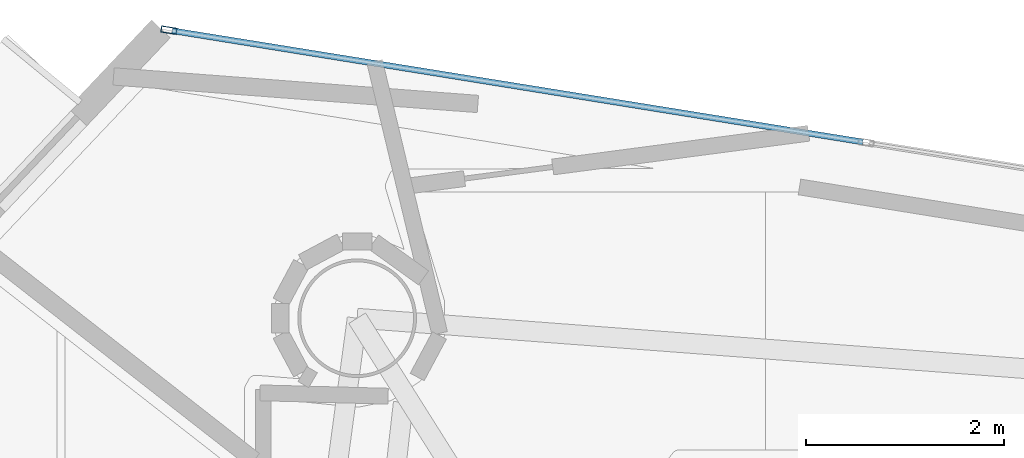
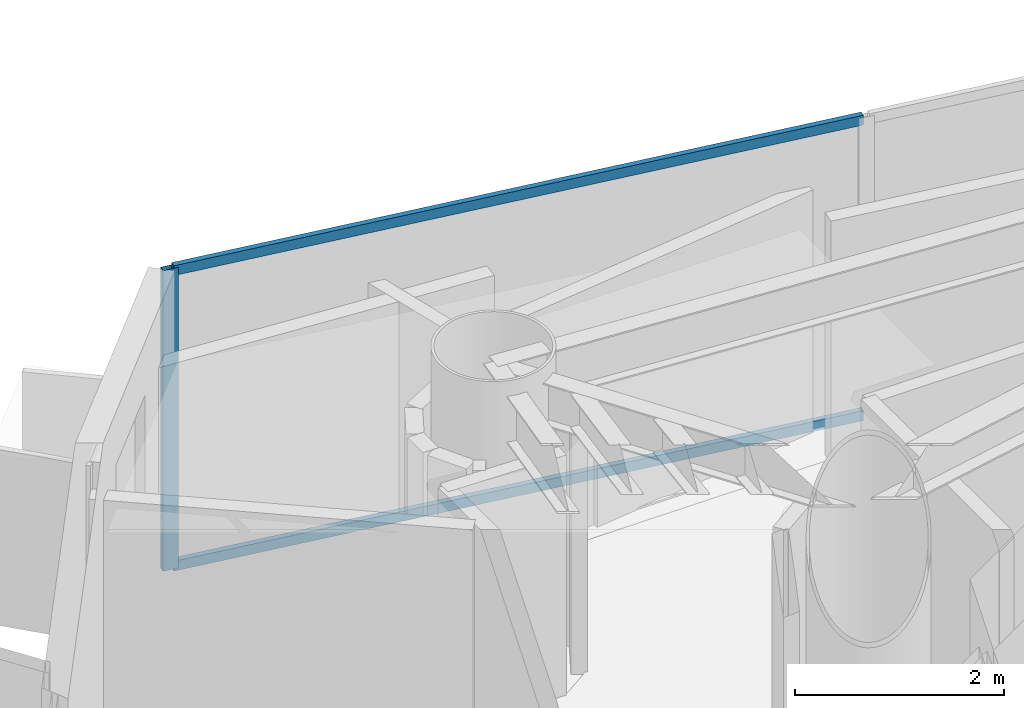
# One storey, part 14 of 21: 3 members, 1 element without a shape of its own.
"""IFC4 building model written with IfcOpenShell, lengths in metres."""

from ifc_helpers import new_model, si_unit, direction, frame, origin, origin_2d, place, context, subcontext, project, spatial, hollow_rectangle, extrude, material, layer, layer_set, material_profile, profile_set, type_object, element, aggregate, save


model = new_model("IFC4")

# Units and contexts
model_context = context("Model", 3, precision=1e-05, world=origin(), true_north=direction((0.0, 1.0)))
body_context = subcontext(model_context, "Body", "Model", "MODEL_VIEW")
ifc_project = project(units=[si_unit("LENGTHUNIT", "METRE"), si_unit("AREAUNIT", "SQUARE_METRE"), si_unit("VOLUMEUNIT", "CUBIC_METRE"), si_unit("PLANEANGLEUNIT", "RADIAN"), si_unit("MASSUNIT", "GRAM", prefix="KILO")], contexts=[model_context])

# Site, building, storey
site_placement = place(None, origin())
site = spatial("IfcSite", under=ifc_project, at=site_placement, CompositionType="ELEMENT")
building_placement = place(site_placement, origin())
building = spatial("IfcBuilding", under=site, at=building_placement, Name="Qianvela Tower", CompositionType="ELEMENT")
storey_placement = place(building_placement, frame((0.0, 0.0, 211.39990234375)))
storey = spatial("IfcBuildingStorey", under=building, at=storey_placement, Name="L54", CompositionType="ELEMENT", Elevation=211.39990234375)

# Curtain wall, members
ifc_material_1 = material(Name="Anodised Architectural Aluminium and Low-E Glass", Category="aluminium")
ifc_layer = layer(ifc_material_1, 0.159912109375)
ifc_layer_set = layer_set([ifc_layer], Name="Anodised Architectural Aluminium and Low-E Glass")
curtain_wall_type = type_object("IfcCurtainWallType", Name="CW-COLIV-Z56", PredefinedType="USERDEFINED", material=ifc_layer_set)
curtain_wall_placement = place(storey_placement, origin())
curtain_wall = element("IfcCurtainWall", 1, at=curtain_wall_placement, inside=storey, type_object=curtain_wall_type, Name="L54 CW-COLIV-Z56 Curtain Wall 02C", ObjectType="CURTAIN_WALL_SYSTEM", PredefinedType="USERDEFINED")
ifc_material_2 = material(Name="Anodised Architectural Aluminium 6063-T6", Category="aluminium")
ifc_material_profile_1 = material_profile(ifc_material_2, hollow_rectangle(XDim=0.06494140625, YDim=0.159912109375, WallThickness=0.0048828125, at=origin_2d()), Name="ALU-MULL-65x160")
ifc_profile_set_1 = profile_set([ifc_material_profile_1], Name="Anodised Architectural Aluminium 6063-T6")
member_type_1 = type_object("IfcMemberType", Name="CW-COLIV-Z56-MULL", PredefinedType="MULLION", material=ifc_profile_set_1)
member_1_placement = place(storey_placement, frame((24.527099609375, 39.905029296875, 0.0), z_axis=(0.0, 0.0, 1.0), x_axis=(-0.159067653846, -0.987267684825, 0.0)))
member_1 = element("IfcMember", 2, at=member_1_placement, type_object=member_type_1, Name="CW-5 mullion 3", PredefinedType="MULLION", context=body_context, shape_type="SweptSolid", body=[
    extrude(hollow_rectangle(XDim=0.06494140625, YDim=0.159912109375, WallThickness=0.0048828125, at=origin_2d()), origin(), (0.0, 0.0, 1.0), 3.52001953125),
])
ifc_material_3 = material(Name="Anodised Architectural Aluminium 6063-T6", Category="aluminium")
ifc_material_profile_2 = material_profile(ifc_material_3, hollow_rectangle(XDim=0.06005859375, YDim=0.114990234375, WallThickness=0.00390625, at=origin_2d()), Name="ALU-TRAN-60x115")
ifc_profile_set_2 = profile_set([ifc_material_profile_2], Name="Anodised Architectural Aluminium 6063-T6")
member_type_2 = type_object("IfcMemberType", Name="CW-COLIV-Z56-TRAN", PredefinedType="USERDEFINED", material=ifc_profile_set_2)
member_2_placement = place(storey_placement, frame((31.545654296875, 38.774169921875, 0.030029296875), z_axis=(-0.987270845438, 0.159048035975, 0.0), x_axis=(-0.159048035975, -0.987270845438, 0.0)))
member_2 = element("IfcMember", 3, at=member_2_placement, type_object=member_type_2, Name="CW-5 transom 2.1", ObjectType="TRANSOM", PredefinedType="USERDEFINED", context=body_context, shape_type="SweptSolid", body=[
    extrude(hollow_rectangle(XDim=0.06005859375, YDim=0.114990234375, WallThickness=0.00390625, at=origin_2d()), origin(), (0.0, 0.0, 1.0), 7.076416015625),
])
member_3_placement = place(storey_placement, frame((31.545654296875, 38.774169921875, 3.489990234375), z_axis=(-0.987270845438, 0.159048035975, 0.0), x_axis=(-0.159048035975, -0.987270845438, 0.0)))
member_3 = element("IfcMember", 4, at=member_3_placement, type_object=member_type_2, Name="CW-5 transom 2.2", ObjectType="TRANSOM", PredefinedType="USERDEFINED", context=body_context, shape_type="SweptSolid", body=[
    extrude(hollow_rectangle(XDim=0.06005859375, YDim=0.114990234375, WallThickness=0.00390625, at=origin_2d()), origin(), (0.0, 0.0, 1.0), 7.076416015625),
])
aggregate(curtain_wall, [member_1, member_2, member_3])

save(model, "model.ifc")
